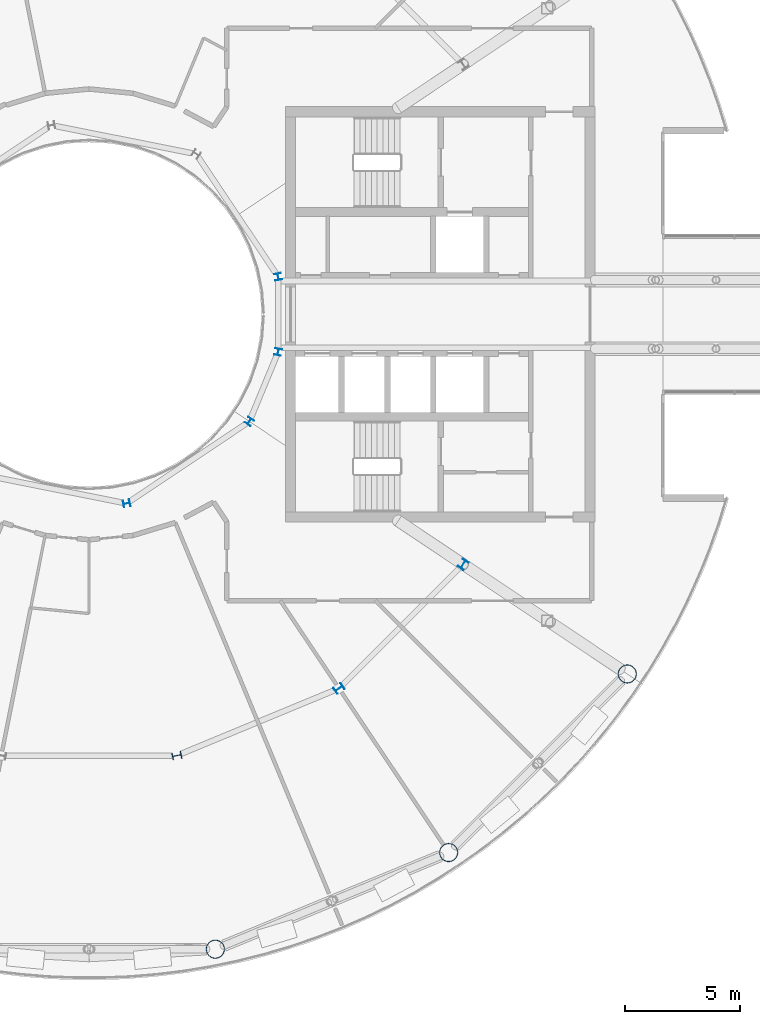
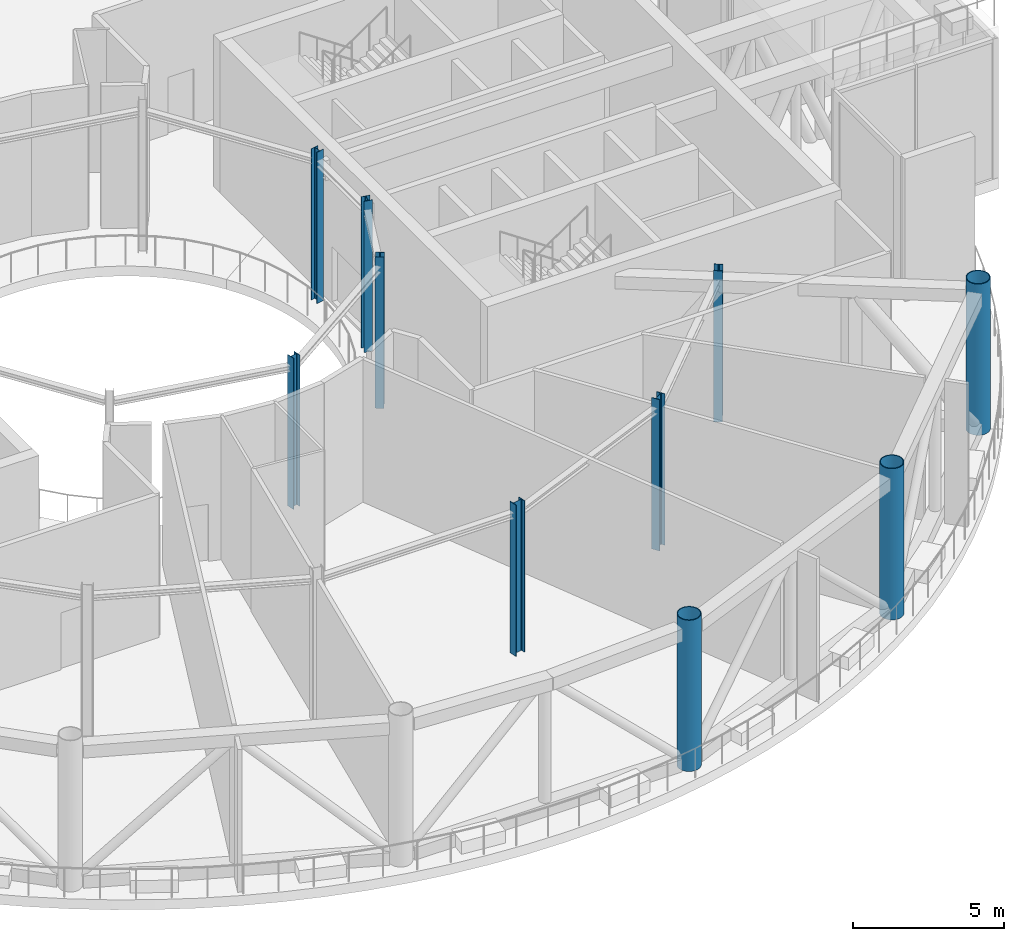
# One storey, part 2 of 24: 10 columns.
"""IFC4 building model written with IfcOpenShell, lengths in metres."""

from ifc_helpers import new_model, si_unit, direction, frame, origin, origin_2d, place, context, subcontext, project, spatial, hollow_circle, i_section, extrude, material, material_profile, profile_set, type_object, element, save


model = new_model("IFC4")

# Units and contexts
model_context = context("Model", 3, precision=1e-05, world=origin(), true_north=direction((0.0, 1.0)))
body_context = subcontext(model_context, "Body", "Model", "MODEL_VIEW")
ifc_project = project(units=[si_unit("LENGTHUNIT", "METRE"), si_unit("AREAUNIT", "SQUARE_METRE"), si_unit("VOLUMEUNIT", "CUBIC_METRE"), si_unit("PLANEANGLEUNIT", "RADIAN"), si_unit("MASSUNIT", "GRAM", prefix="KILO")], contexts=[model_context])

# Site, building, storey
site_placement = place(None, origin())
site = spatial("IfcSite", under=ifc_project, at=site_placement, CompositionType="ELEMENT")
building_placement = place(site_placement, origin())
building = spatial("IfcBuilding", under=site, at=building_placement, Name="Maasbend Ring Residences", CompositionType="ELEMENT")
storey_placement = place(building_placement, frame((0.0, 0.0, 221.85009765625)))
storey = spatial("IfcBuildingStorey", under=building, at=storey_placement, Name="L64", CompositionType="ELEMENT", Elevation=221.85009765625)

# Columns
ifc_material_1 = material(Name="Composite concrete-filled steel tube S460NH / C80/95", Category="concrete")
ifc_material_profile_1 = material_profile(ifc_material_1, hollow_circle(Radius=0.406494140625, WallThickness=0.030029296875, at=origin_2d()), Name="Composite tube column CHS 813x30")
ifc_profile_set_1 = profile_set([ifc_material_profile_1], Name="Composite concrete-filled steel tube S460NH / C80/95")
column_type_1 = type_object("IfcColumnType", Name="Composite tube column CHS 813x30", PredefinedType="COLUMN", material=ifc_profile_set_1)
for number, where, z_axis, x_axis, name in (
    (1, (5.50146484375, -27.658203125, 0.0), (0.0, 0.0, 1.0), (1.0, 0.0, 0.0), "Outer column R13"),
    (2, (15.6669921875, -23.447509765625, 0.0), (0.0, 0.0, 1.0), (1.0, 0.0, 0.0), "Outer column R14"),
    (3, (23.447509765625, -15.6669921875, 0.0), (0.0, 0.0, 1.0), (1.0, 0.0, 0.0), "Outer column R15"),
):
    element("IfcColumn", number, at=place(storey_placement, frame(where, z_axis=z_axis, x_axis=x_axis)), inside=storey, type_object=column_type_1, Name=name, PredefinedType="COLUMN", context=body_context, shape_type="SweptSolid", body=[
        extrude(hollow_circle(Radius=0.406494140625, WallThickness=0.030029296875, at=origin_2d()), origin(), (0.0, 0.0, 1.0), 6.099853515625),
    ])
ifc_material_2 = material(Name="Steel S355J2", Category="steel")
ifc_material_profile_2 = material_profile(ifc_material_2, i_section(OverallWidth=0.300048828125, OverallDepth=0.2900390625, WebThickness=0.008544921875, FlangeThickness=0.013916015625, FilletRadius=0.027099609375, at=origin_2d()), Name="HEA 300")
ifc_profile_set_2 = profile_set([ifc_material_profile_2], Name="Steel S355J2")
column_type_2 = type_object("IfcColumnType", Name="Steel column HEA 300", PredefinedType="COLUMN", material=ifc_profile_set_2)
for number, where, z_axis, x_axis, name in (
    (4, (8.238525390625, 1.638916015625, 0.0), (0.0, 0.0, 1.0), (0.980785280403, 0.195090322016, 0.0), "Well ring column R1"),
    (5, (1.638916015625, -8.238525390625, 0.0), (0.0, 0.0, 1.0), (0.195090322016, -0.980785280403, 0.0), "Well ring column R13"),
    (6, (6.984375, -4.666748046875, 0.0), (0.0, 0.0, 1.0), (0.831469612303, -0.55557023302, 0.0), "Well ring column R15"),
    (7, (8.238525390625, -1.638916015625, 0.0), (0.0, 0.0, 1.0), (0.980785280403, -0.195090322016, 0.0), "Well ring column R16"),
):
    element("IfcColumn", number, at=place(storey_placement, frame(where, z_axis=z_axis, x_axis=x_axis)), inside=storey, type_object=column_type_2, Name=name, PredefinedType="COLUMN", context=body_context, shape_type="SweptSolid", body=[
        extrude(i_section(OverallWidth=0.300048828125, OverallDepth=0.2900390625, WebThickness=0.008544921875, FlangeThickness=0.013916015625, FilletRadius=0.027099609375, at=origin_2d()), origin(), (0.0, 0.0, 1.0), 6.099853515625),
    ])
ifc_material_3 = material(Name="Steel S355J2", Category="steel")
ifc_material_profile_3 = material_profile(ifc_material_3, i_section(OverallWidth=0.300048828125, OverallDepth=0.39990234375, WebThickness=0.013427734375, FlangeThickness=0.02392578125, FilletRadius=0.027099609375, at=origin_2d()), Name="HEB 400")
ifc_profile_set_3 = profile_set([ifc_material_profile_3], Name="Steel S355J2")
column_type_3 = type_object("IfcColumnType", Name="Steel column HEB 400", PredefinedType="COLUMN", material=ifc_profile_set_3)
for number, where, z_axis, x_axis, name in (
    (8, (3.82373046875, -19.223388671875, 0.0), (0.0, 0.0, 1.0), (0.195090322016, -0.980785280403, 0.0), "Corridor ring column R13"),
    (9, (10.88916015625, -16.296875, 0.0), (0.0, 0.0, 1.0), (0.55557023302, -0.831469612303, 0.0), "Corridor ring column R14"),
    (10, (16.296875, -10.88916015625, 0.0), (0.0, 0.0, 1.0), (0.831469612303, -0.55557023302, 0.0), "Corridor ring column R15"),
):
    element("IfcColumn", number, at=place(storey_placement, frame(where, z_axis=z_axis, x_axis=x_axis)), inside=storey, type_object=column_type_3, Name=name, PredefinedType="COLUMN", context=body_context, shape_type="SweptSolid", body=[
        extrude(i_section(OverallWidth=0.300048828125, OverallDepth=0.39990234375, WebThickness=0.013427734375, FlangeThickness=0.02392578125, FilletRadius=0.027099609375, at=origin_2d()), origin(), (0.0, 0.0, 1.0), 6.099853515625),
    ])

save(model, "model.ifc")
